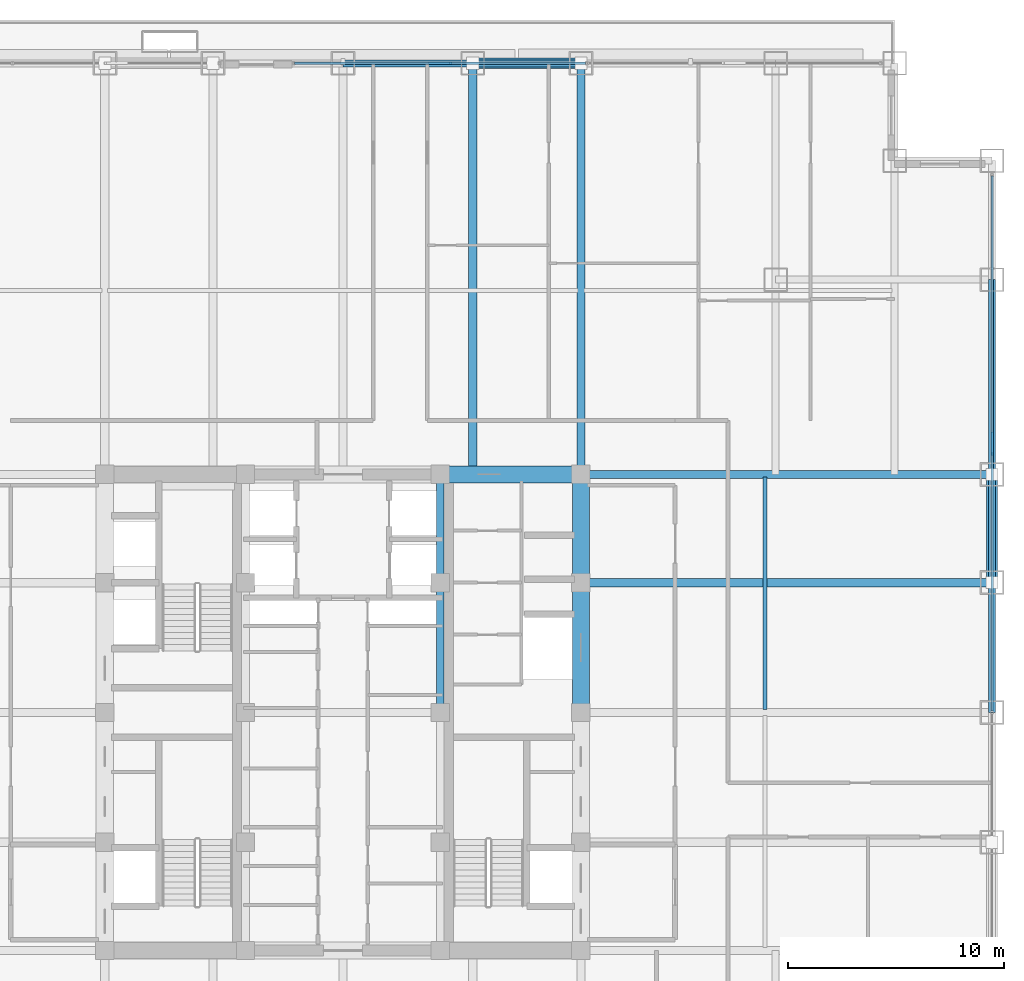
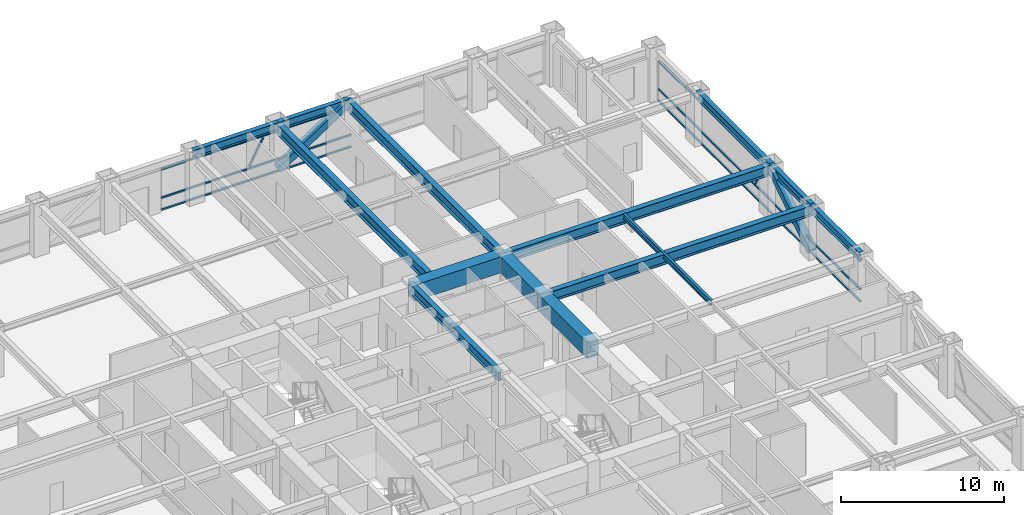
# One storey, part 20 of 35: 15 beams, 10 members, 2 elements without a shape of their own.
"""IFC4 building model written with IfcOpenShell, lengths in metres."""

from ifc_helpers import new_model, si_unit, direction, frame, origin, origin_2d, place, context, subcontext, project, spatial, rectangle, hollow_rectangle, i_section, extrude, source, transform, mapped, material, material_profile, profile_set, type_object, element, aggregate, save


model = new_model("IFC4")

# Units and contexts
model_context = context("Model", 3, precision=1e-05, world=origin(), true_north=direction((0.0, 1.0)))
body_context = subcontext(model_context, "Body", "Model", "MODEL_VIEW")
ifc_project = project(units=[si_unit("LENGTHUNIT", "METRE"), si_unit("AREAUNIT", "SQUARE_METRE"), si_unit("VOLUMEUNIT", "CUBIC_METRE"), si_unit("PLANEANGLEUNIT", "RADIAN"), si_unit("MASSUNIT", "GRAM", prefix="KILO")], contexts=[model_context])

# Site, building, storey
site_placement = place(None, origin())
site = spatial("IfcSite", under=ifc_project, at=site_placement, CompositionType="ELEMENT")
building_placement = place(site_placement, origin())
building = spatial("IfcBuilding", under=site, at=building_placement, Name="Khorayat Bourse Tower", CompositionType="ELEMENT")
storey_placement = place(building_placement, frame((0.0, 0.0, 155.10009765625)))
storey = spatial("IfcBuildingStorey", under=building, at=storey_placement, Name="L35", CompositionType="ELEMENT", Elevation=155.10009765625)

# Beams
ifc_material_1 = material(Name="Concrete C72/90", Category="concrete")
ifc_material_profile_1 = material_profile(ifc_material_1, rectangle(XDim=0.800048828125, YDim=1.199951171875, at=origin_2d()), Name="RC 800x1200")
ifc_profile_set_1 = profile_set([ifc_material_profile_1], Name="Concrete C72/90")
beam_type_1 = type_object("IfcBeamType", Name="BM-COUP-1200", PredefinedType="BEAM", material=ifc_profile_set_1)
shared_shape_1 = source(origin(), body_context, "Body", "SweptSolid", [
    extrude(rectangle(XDim=0.800048828125, YDim=1.199951171875, at=origin_2d()), origin(), (0.0, 0.0, 1.0), 5.0),
])
beam_1_placement = place(storey_placement, frame((11.0, 6.0, 3.179931640625), z_axis=(0.0, 1.0, 0.0), x_axis=(-1.0, 0.0, 0.0)))
element("IfcBeam", 1, at=beam_1_placement, inside=storey, type_object=beam_type_1, Name="L35 BM-COUP-1200 BM-L35-CRX-16", PredefinedType="BEAM", context=body_context, shape_type="MappedRepresentation", body=[
    mapped(shared_shape_1, transform((0.0, 0.0, 0.0), scale=1.0)),
])
shared_shape_2 = source(origin(), body_context, "Body", "SweptSolid", [
    extrude(rectangle(XDim=0.800048828125, YDim=1.199951171875, at=origin_2d()), origin(), (0.0, 0.0, 1.0), 6.0),
])
beam_2_placement = place(storey_placement, frame((11.0, 0.0, 3.179931640625), z_axis=(0.0, 1.0, 0.0), x_axis=(-1.0, 0.0, 0.0)))
element("IfcBeam", 2, at=beam_2_placement, inside=storey, type_object=beam_type_1, Name="L35 BM-COUP-1200 BM-L35-CRX-15", PredefinedType="BEAM", context=body_context, shape_type="MappedRepresentation", body=[
    mapped(shared_shape_2, transform((0.0, 0.0, 0.0), scale=1.0)),
])
ifc_material_2 = material(Name="Steel ASTM A992 Grade 50", Category="steel")
ifc_material_profile_2 = material_profile(ifc_material_2, i_section(OverallWidth=0.35498046875, OverallDepth=0.695068359375, WebThickness=0.015380859375, FlangeThickness=0.02490234375, FilletRadius=0.01806640625, at=origin_2d()), Name="W690X217")
ifc_profile_set_2 = profile_set([ifc_material_profile_2], Name="Steel ASTM A992 Grade 50")
beam_type_2 = type_object("IfcBeamType", Name="BM-GIRD-690", PredefinedType="BEAM", material=ifc_profile_set_2)
shared_shape_3 = source(origin(), body_context, "Body", "SweptSolid", [
    extrude(i_section(OverallWidth=0.35498046875, OverallDepth=0.695068359375, WebThickness=0.015380859375, FlangeThickness=0.02490234375, FilletRadius=0.01806640625, at=origin_2d()), origin(), (0.0, 0.0, 1.0), 5.0),
])
beam_3_placement = place(storey_placement, frame((4.5, 6.0, 3.432373046875), z_axis=(0.0, 1.0, 0.0), x_axis=(-1.0, 0.0, 0.0)))
element("IfcBeam", 3, at=beam_3_placement, inside=storey, type_object=beam_type_2, Name="L35 BM-GIRD-690 BM-L35-CRX-12", PredefinedType="BEAM", context=body_context, shape_type="MappedRepresentation", body=[
    mapped(shared_shape_3, transform((0.0, 0.0, 0.0), scale=1.0)),
])
shared_shape_4 = source(origin(), body_context, "Body", "SweptSolid", [
    extrude(i_section(OverallWidth=0.35498046875, OverallDepth=0.695068359375, WebThickness=0.015380859375, FlangeThickness=0.02490234375, FilletRadius=0.01806640625, at=origin_2d()), origin(), (0.0, 0.0, 1.0), 6.0),
])
beam_4_placement = place(storey_placement, frame((4.5, 0.0, 3.432373046875), z_axis=(0.0, 1.0, 0.0), x_axis=(-1.0, 0.0, 0.0)))
element("IfcBeam", 4, at=beam_4_placement, inside=storey, type_object=beam_type_2, Name="L35 BM-GIRD-690 BM-L35-CRX-11", PredefinedType="BEAM", context=body_context, shape_type="MappedRepresentation", body=[
    mapped(shared_shape_4, transform((0.0, 0.0, 0.0), scale=1.0)),
])
shared_shape_5 = source(origin(), body_context, "Body", "SweptSolid", [
    extrude(rectangle(XDim=0.800048828125, YDim=1.199951171875, at=origin_2d()), origin(), (0.0, 0.0, 1.0), 6.5),
])
beam_5_placement = place(storey_placement, frame((4.5, 11.0, 3.179931640625), z_axis=(1.0, 0.0, 0.0), x_axis=(0.0, 1.0, 0.0)))
element("IfcBeam", 5, at=beam_5_placement, inside=storey, type_object=beam_type_1, Name="L35 BM-COUP-1200 BM-L35-CRY-22", PredefinedType="BEAM", context=body_context, shape_type="MappedRepresentation", body=[
    mapped(shared_shape_5, transform((0.0, 0.0, 0.0), scale=1.0)),
])
ifc_material_profile_3 = material_profile(ifc_material_2, i_section(OverallWidth=0.381103515625, OverallDepth=0.77294921875, WebThickness=0.0166015625, FlangeThickness=0.027587890625, FilletRadius=0.01806640625, at=origin_2d()), Name="W760X257")
ifc_profile_set_3 = profile_set([ifc_material_profile_3], Name="Steel ASTM A992 Grade 50")
beam_type_3 = type_object("IfcBeamType", Name="BM-GIRD-760", PredefinedType="BEAM", material=ifc_profile_set_3)
shared_shape_6 = source(origin(), body_context, "Body", "SweptSolid", [
    extrude(i_section(OverallWidth=0.381103515625, OverallDepth=0.77294921875, WebThickness=0.0166015625, FlangeThickness=0.027587890625, FilletRadius=0.01806640625, at=origin_2d()), origin(), (0.0, 0.0, 1.0), 19.0),
])
for number, where, z_axis, x_axis, name in (
    (6, (6.0, 11.0, 3.393310546875), (0.0, 1.0, 0.0), (-1.0, 0.0, 0.0), "L35 BM-GIRD-760 BM-L35-RADY-070"),
    (7, (11.0, 11.0, 3.393310546875), (0.0, 1.0, 0.0), (-1.0, 0.0, 0.0), "L35 BM-GIRD-760 BM-L35-RADY-072"),
    (8, (11.0, 6.0, 3.393310546875), (1.0, 0.0, 0.0), (0.0, 1.0, 0.0), "L35 BM-GIRD-760 BM-L35-RADX-080"),
    (9, (11.0, 11.0, 3.393310546875), (1.0, 0.0, 0.0), (0.0, 1.0, 0.0), "L35 BM-GIRD-760 BM-L35-RADX-082"),
):
    element("IfcBeam", number, at=place(storey_placement, frame(where, z_axis=z_axis, x_axis=x_axis)), inside=storey, type_object=beam_type_3, Name=name, PredefinedType="BEAM", context=body_context, shape_type="MappedRepresentation", body=[
        mapped(shared_shape_6, transform((0.0, 0.0, 0.0), scale=1.0)),
    ])
ifc_material_profile_4 = material_profile(ifc_material_2, i_section(OverallWidth=0.180908203125, OverallDepth=0.4169921875, WebThickness=0.010986328125, FlangeThickness=0.018310546875, FilletRadius=0.011962890625, at=origin_2d()), Name="W410X85")
ifc_profile_set_4 = profile_set([ifc_material_profile_4], Name="Steel ASTM A992 Grade 50")
beam_type_4 = type_object("IfcBeamType", Name="BM-JOIST-410", PredefinedType="JOIST", material=ifc_profile_set_4)
shared_shape_7 = source(origin(), body_context, "Body", "SweptSolid", [
    extrude(i_section(OverallWidth=0.180908203125, OverallDepth=0.4169921875, WebThickness=0.010986328125, FlangeThickness=0.018310546875, FilletRadius=0.011962890625, at=origin_2d()), origin(), (0.0, 0.0, 1.0), 10.740234375),
])
beam_6_placement = place(storey_placement, frame((19.5, 0.1298828125, 3.5712890625), z_axis=(0.0, 1.0, 0.0), x_axis=(-1.0, 0.0, 0.0)))
element("IfcBeam", 10, at=beam_6_placement, inside=storey, type_object=beam_type_4, Name="L35 BM-JOIST-410 BM-L35-JSTY-105", PredefinedType="JOIST", context=body_context, shape_type="MappedRepresentation", body=[
    mapped(shared_shape_7, transform((0.0, 0.0, 0.0), scale=1.0)),
])
ifc_material_profile_5 = material_profile(ifc_material_2, i_section(OverallWidth=0.324951171875, OverallDepth=0.615966796875, WebThickness=0.013916015625, FlangeThickness=0.021484375, FilletRadius=0.01611328125, at=origin_2d()), Name="W610X174")
ifc_profile_set_5 = profile_set([ifc_material_profile_5], Name="Steel ASTM A992 Grade 50")
beam_type_5 = type_object("IfcBeamType", Name="BM-SPAN-610", PredefinedType="SPANDREL", material=ifc_profile_set_5)
shared_shape_8 = source(origin(), body_context, "Body", "SweptSolid", [
    extrude(i_section(OverallWidth=0.324951171875, OverallDepth=0.615966796875, WebThickness=0.013916015625, FlangeThickness=0.021484375, FilletRadius=0.01611328125, at=origin_2d()), origin(), (0.0, 0.0, 1.0), 9.0),
])
beam_7_placement = place(storey_placement, frame((30.0, 11.0, 3.471923828125), z_axis=(0.0, 1.0, 0.0), x_axis=(-1.0, 0.0, 0.0)))
element("IfcBeam", 11, at=beam_7_placement, inside=storey, type_object=beam_type_5, Name="L35 BM-SPAN-610 BM-L35-SPN-040", PredefinedType="SPANDREL", context=body_context, shape_type="MappedRepresentation", body=[
    mapped(shared_shape_8, transform((0.0, 0.0, 0.0), scale=1.0)),
])
shared_shape_9 = source(origin(), body_context, "Body", "SweptSolid", [
    extrude(i_section(OverallWidth=0.324951171875, OverallDepth=0.615966796875, WebThickness=0.013916015625, FlangeThickness=0.021484375, FilletRadius=0.01611328125, at=origin_2d()), origin(), (0.0, 0.0, 1.0), 5.0),
])
for number, where, z_axis, x_axis, name in (
    (12, (30.0, 6.0, 3.471923828125), (0.0, 1.0, 0.0), (-1.0, 0.0, 0.0), "L35 BM-SPAN-610 BM-L35-SPN-039"),
    (13, (6.0, 30.0, 3.471923828125), (1.0, 0.0, 0.0), (0.0, 1.0, 0.0), "L35 BM-SPAN-610 BM-L35-SPN-046"),
):
    element("IfcBeam", number, at=place(storey_placement, frame(where, z_axis=z_axis, x_axis=x_axis)), inside=storey, type_object=beam_type_5, Name=name, PredefinedType="SPANDREL", context=body_context, shape_type="MappedRepresentation", body=[
        mapped(shared_shape_9, transform((0.0, 0.0, 0.0), scale=1.0)),
    ])
shared_shape_10 = source(origin(), body_context, "Body", "SweptSolid", [
    extrude(i_section(OverallWidth=0.324951171875, OverallDepth=0.615966796875, WebThickness=0.013916015625, FlangeThickness=0.021484375, FilletRadius=0.01611328125, at=origin_2d()), origin(), (0.0, 0.0, 1.0), 6.0),
])
for number, where, z_axis, x_axis, name in (
    (14, (30.0, 0.0, 3.471923828125), (0.0, 1.0, 0.0), (-1.0, 0.0, 0.0), "L35 BM-SPAN-610 BM-L35-SPN-038"),
    (15, (0.0, 30.0, 3.471923828125), (1.0, 0.0, 0.0), (0.0, 1.0, 0.0), "L35 BM-SPAN-610 BM-L35-SPN-047"),
):
    element("IfcBeam", number, at=place(storey_placement, frame(where, z_axis=z_axis, x_axis=x_axis)), inside=storey, type_object=beam_type_5, Name=name, PredefinedType="SPANDREL", context=body_context, shape_type="MappedRepresentation", body=[
        mapped(shared_shape_10, transform((0.0, 0.0, 0.0), scale=1.0)),
    ])

# Members
ifc_material_3 = material(Name="Steel EN 10025-4 S460M", Category="steel")
ifc_material_profile_6 = material_profile(ifc_material_3, hollow_rectangle(XDim=0.5, YDim=0.5, WallThickness=0.028076171875, at=origin_2d()), Name="HSS 500x500x28")
ifc_profile_set_6 = profile_set([ifc_material_profile_6], Name="Steel EN 10025-4 S460M")
member_type_1 = type_object("IfcMemberType", Name="MBR-TUBE-500", PredefinedType="BRACE", material=ifc_profile_set_6)
shared_shape_11 = source(origin(), body_context, "Body", "SweptSolid", [
    extrude(hollow_rectangle(XDim=0.5, YDim=0.5, WallThickness=0.028076171875, at=origin_2d()), origin(), (0.0, 0.0, 1.0), 5.979736328125),
])
for number, where, z_axis, x_axis, name in (
    (16, (6.0, 30.0, 0.25), (0.836160261256, 0.0, 0.548485202623), (0.0, 1.0, 0.0), "L35 Perimeter Tube Brace 04"),
    (17, (30.0, 6.0, 0.25), (0.0, 0.836160261256, 0.548485202623), (-1.0, 0.0, 0.0), "L35 Perimeter Tube Brace 08"),
):
    element("IfcMember", number, at=place(storey_placement, frame(where, z_axis=z_axis, x_axis=x_axis)), inside=storey, type_object=member_type_1, Name=name, PredefinedType="BRACE", context=body_context, shape_type="MappedRepresentation", body=[
        mapped(shared_shape_11, transform((0.0, 0.0, 0.0), scale=1.0)),
    ])

# Curtain wall, member
ifc_material_4 = material(Name="Aluminium EN AW-6063 T6", Category="aluminium")
curtain_wall_type = type_object("IfcCurtainWallType", Name="CW-SYS-03", PredefinedType="NOTDEFINED", material=ifc_material_4)
curtain_wall_1_placement = place(storey_placement, origin())
curtain_wall_1 = element("IfcCurtainWall", 18, at=curtain_wall_1_placement, inside=storey, type_object=curtain_wall_type, Name="L35 Curtain Wall CW-L35-N2", PredefinedType="NOTDEFINED")
ifc_material_profile_7 = material_profile(ifc_material_4, hollow_rectangle(XDim=0.1201171875, YDim=0.1201171875, WallThickness=0.0048828125, at=origin_2d()), Name="ALU 120x120x5")
ifc_profile_set_7 = profile_set([ifc_material_profile_7], Name="Aluminium EN AW-6063 T6")
member_type_2 = type_object("IfcMemberType", Name="CWM-DIAG-120", PredefinedType="MULLION", material=ifc_profile_set_7)
shared_shape_12 = source(origin(), body_context, "Body", "SweptSolid", [
    extrude(hollow_rectangle(XDim=0.1201171875, YDim=0.1201171875, WallThickness=0.0048828125, at=origin_2d()), origin(), (0.0, 0.0, 1.0), 2.079345703125),
])
member_1_placement = place(storey_placement, frame((4.00830078125, 30.0, 1.08984375), z_axis=(0.465760949701, 0.0, 0.884910581773), x_axis=(0.0, 1.0, 0.0)))
member_1 = element("IfcMember", 19, at=member_1_placement, type_object=member_type_2, Name="CW-L35-N2 Faceted Diagonal Mullion 1", PredefinedType="MULLION", context=body_context, shape_type="MappedRepresentation", body=[
    mapped(shared_shape_12, transform((0.0, 0.0, 0.0), scale=1.0)),
])

curtain_wall_2_placement = place(storey_placement, origin())
curtain_wall_2 = element("IfcCurtainWall", 20, at=curtain_wall_2_placement, inside=storey, type_object=curtain_wall_type, Name="L35 Curtain Wall CW-L35-E1", PredefinedType="NOTDEFINED")
member_2_placement = place(storey_placement, frame((30.0, 12.904296875, 1.08984375), z_axis=(0.0, -0.465760949701, 0.884910581773), x_axis=(1.0, 0.0, 0.0)))
member_2 = element("IfcMember", 21, at=member_2_placement, type_object=member_type_2, Name="CW-L35-E1 Faceted Diagonal Mullion 2", PredefinedType="MULLION", context=body_context, shape_type="MappedRepresentation", body=[
    mapped(shared_shape_12, transform((0.0, 0.0, 0.0), scale=1.0)),
])

# Member
ifc_material_profile_8 = material_profile(ifc_material_4, hollow_rectangle(XDim=0.1201171875, YDim=0.1201171875, WallThickness=0.0048828125, at=origin_2d()), Name="ALU 120x120x5")
ifc_profile_set_8 = profile_set([ifc_material_profile_8], Name="Aluminium EN AW-6063 T6")
member_type_3 = type_object("IfcMemberType", Name="CWT-HORZ-120", PredefinedType="USERDEFINED", material=ifc_profile_set_8)
shared_shape_13 = source(origin(), body_context, "Body", "SweptSolid", [
    extrude(hollow_rectangle(XDim=0.1201171875, YDim=0.1201171875, WallThickness=0.0048828125, at=origin_2d()), origin(), (0.0, 0.0, 1.0), 13.445068359375),
])
member_3_placement = place(storey_placement, frame((-2.22998046875, 30.0, 0.059814453125), z_axis=(1.0, 0.0, 0.0), x_axis=(0.0, 1.0, 0.0)))
member_3 = element("IfcMember", 22, at=member_3_placement, type_object=member_type_3, Name="CW-L35-N2 Horizontal Transom 1-1", ObjectType="TRANSOM", PredefinedType="USERDEFINED", context=body_context, shape_type="MappedRepresentation", body=[
    mapped(shared_shape_13, transform((0.0, 0.0, 0.0), scale=1.0)),
])

member_4_placement = place(storey_placement, frame((-2.22998046875, 30.0, 0.949951171875), z_axis=(1.0, 0.0, 0.0), x_axis=(0.0, 1.0, 0.0)))
member_4 = element("IfcMember", 23, at=member_4_placement, type_object=member_type_3, Name="CW-L35-N2 Horizontal Transom 1-2", ObjectType="TRANSOM", PredefinedType="USERDEFINED", context=body_context, shape_type="MappedRepresentation", body=[
    mapped(shared_shape_13, transform((0.0, 0.0, 0.0), scale=1.0)),
])

member_5_placement = place(storey_placement, frame((-2.22998046875, 30.0, 3.06982421875), z_axis=(1.0, 0.0, 0.0), x_axis=(0.0, 1.0, 0.0)))
member_5 = element("IfcMember", 24, at=member_5_placement, type_object=member_type_3, Name="CW-L35-N2 Horizontal Transom 1-3", ObjectType="TRANSOM", PredefinedType="USERDEFINED", context=body_context, shape_type="MappedRepresentation", body=[
    mapped(shared_shape_13, transform((0.0, 0.0, 0.0), scale=1.0)),
])

aggregate(curtain_wall_1, [member_3, member_4, member_5, member_1])

shared_shape_14 = source(origin(), body_context, "Body", "SweptSolid", [
    extrude(hollow_rectangle(XDim=0.1201171875, YDim=0.1201171875, WallThickness=0.0048828125, at=origin_2d()), origin(), (0.0, 0.0, 1.0), 24.719970703125),
])
member_6_placement = place(storey_placement, frame((30.0, 0.06005859375, 0.059814453125), z_axis=(0.0, 1.0, 0.0), x_axis=(-1.0, 0.0, 0.0)))
member_6 = element("IfcMember", 25, at=member_6_placement, type_object=member_type_3, Name="CW-L35-E1 Horizontal Transom 2-1", ObjectType="TRANSOM", PredefinedType="USERDEFINED", context=body_context, shape_type="MappedRepresentation", body=[
    mapped(shared_shape_14, transform((0.0, 0.0, 0.0), scale=1.0)),
])

member_7_placement = place(storey_placement, frame((30.0, 0.06005859375, 0.949951171875), z_axis=(0.0, 1.0, 0.0), x_axis=(-1.0, 0.0, 0.0)))
member_7 = element("IfcMember", 26, at=member_7_placement, type_object=member_type_3, Name="CW-L35-E1 Horizontal Transom 2-2", ObjectType="TRANSOM", PredefinedType="USERDEFINED", context=body_context, shape_type="MappedRepresentation", body=[
    mapped(shared_shape_14, transform((0.0, 0.0, 0.0), scale=1.0)),
])

member_8_placement = place(storey_placement, frame((30.0, 0.06005859375, 3.06982421875), z_axis=(0.0, 1.0, 0.0), x_axis=(-1.0, 0.0, 0.0)))
member_8 = element("IfcMember", 27, at=member_8_placement, type_object=member_type_3, Name="CW-L35-E1 Horizontal Transom 2-3", ObjectType="TRANSOM", PredefinedType="USERDEFINED", context=body_context, shape_type="MappedRepresentation", body=[
    mapped(shared_shape_14, transform((0.0, 0.0, 0.0), scale=1.0)),
])

aggregate(curtain_wall_2, [member_6, member_7, member_8, member_2])

save(model, "model.ifc")
